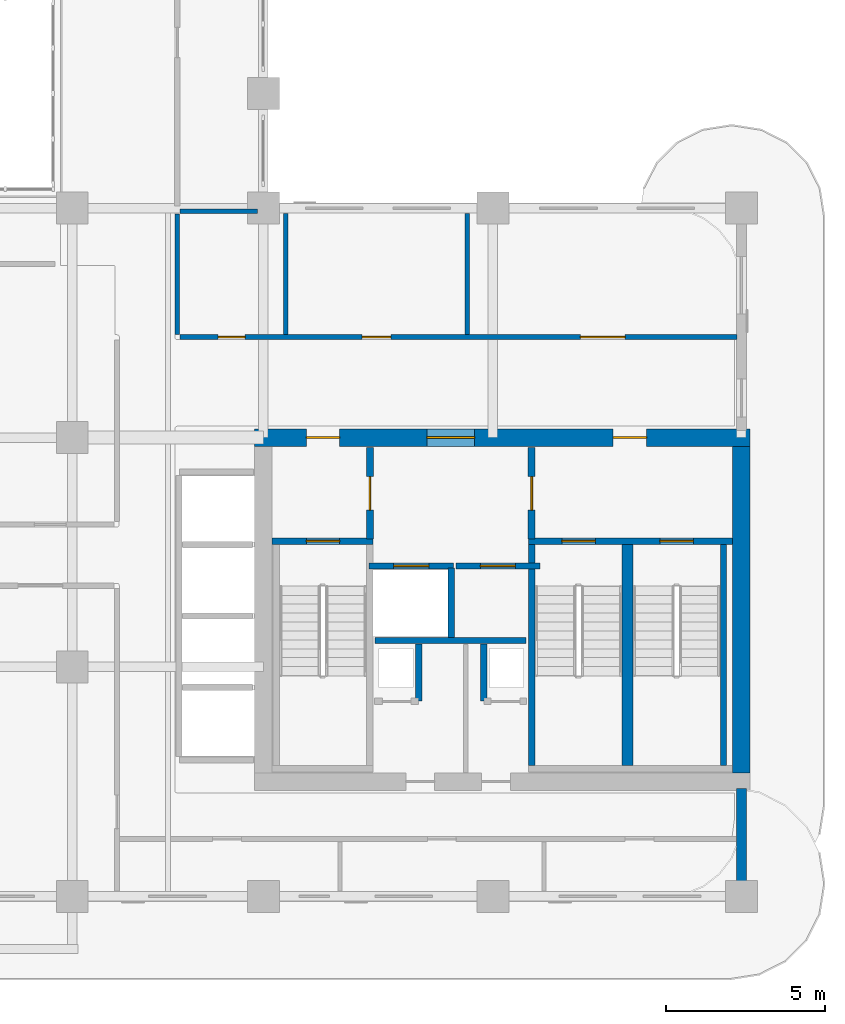
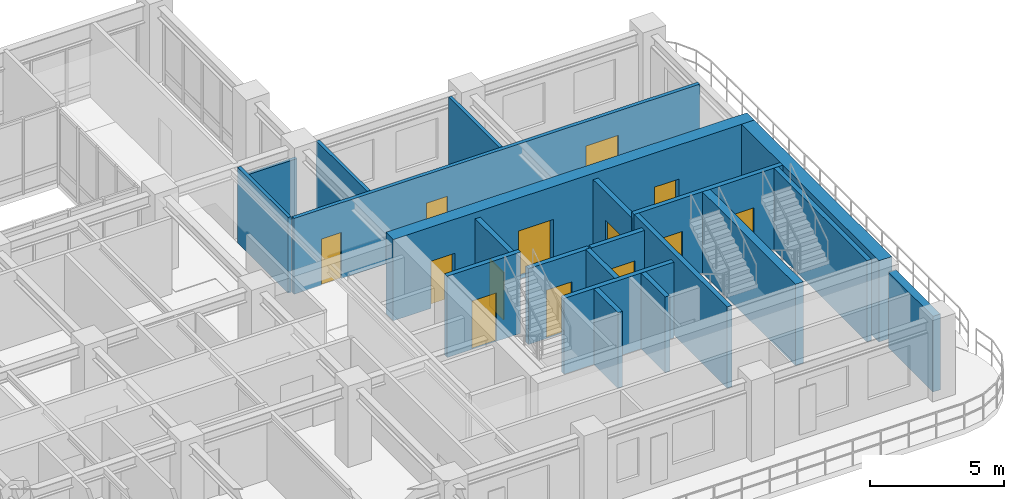
# One storey, part 13 of 20: 21 walls, 13 doors, 13 openings.
"""IFC4 building model written with IfcOpenShell, lengths in metres."""

import ifcopenshell
import ifcopenshell.guid

model = None  # the IFC model being written
_history = None  # IfcOwnerHistory: only IFC2X3 demands one
_inside = {}  # id of a spatial element -> (the spatial element, [elements in it])
_under = {}  # id of a project, library or spatial element -> (it, [spatial elements below it])
_declared = {}  # id of a project -> (the project, [libraries it declares])
_typed = {}  # id of a type object -> (the type object, [elements of that type])
_made_of = {}  # id of a material, layer set ... -> (it, [elements and type objects made of it])


def new_model(schema):
    """Start an empty IFC model of exactly this schema.

    Asked for "IFC4X3", IfcOpenShell would pick the latest addendum, in which some entities
    have other attributes; the version numbers below select the first issue.
    IFC2X3 requires an IfcOwnerHistory on every rooted entity: one is made here for all.
    """
    global model, _history
    if schema == "IFC4X3":
        model = ifcopenshell.file(schema_version=(4, 3, 0, 0))
    else:
        model = ifcopenshell.file(schema=schema)
    _inside.clear()
    _under.clear()
    _declared.clear()
    _typed.clear()
    _made_of.clear()
    _history = None
    if model.schema == "IFC2X3":
        org = make("IfcOrganization", Name="unknown")
        user = make(
            "IfcPersonAndOrganization",
            ThePerson=make("IfcPerson", FamilyName="unknown"),
            TheOrganization=org,
        )
        app = make(
            "IfcApplication",
            ApplicationDeveloper=org,
            Version="unknown",
            ApplicationFullName="unknown",
            ApplicationIdentifier="unknown",
        )
        _history = make(
            "IfcOwnerHistory",
            OwningUser=user,
            OwningApplication=app,
            ChangeAction="ADDED",
            CreationDate=0,
        )
    return model


def make(cls, **values):
    """One entity of the class cls with the attributes given. An attribute that is None is left unset."""
    return model.create_entity(
        cls, **{name: value for name, value in values.items() if value is not None}
    )


def rooted(cls, **values):
    """An entity with a GlobalId (a new one), such as an element, a storey or a relation."""
    return make(cls, GlobalId=ifcopenshell.guid.new(), OwnerHistory=_history, **values)


def si_unit(unit_type, name, prefix=None):
    """IfcSIUnit, for example si_unit("LENGTHUNIT", "METRE", prefix="MILLI")."""
    return make("IfcSIUnit", UnitType=unit_type, Prefix=prefix, Name=name)


def derived_unit(unit_type, elements):
    """IfcDerivedUnit: a product of units, each with its exponent."""
    return make(
        "IfcDerivedUnit",
        Elements=[
            make("IfcDerivedUnitElement", Unit=unit, Exponent=power)
            for unit, power in elements
        ],
        UnitType=unit_type,
    )


def assignment(units):
    """IfcUnitAssignment: the units of a project."""
    return None if units is None else make("IfcUnitAssignment", Units=units)


def point(xyz):
    """IfcCartesianPoint."""
    return None if xyz is None else make("IfcCartesianPoint", Coordinates=xyz)


def direction(xyz):
    """IfcDirection."""
    return None if xyz is None else make("IfcDirection", DirectionRatios=xyz)


def frame(location, z_axis=None, x_axis=None):
    """IfcAxis2Placement3D, a coordinate frame: its origin and axes. An axis left out is left unset."""
    return make(
        "IfcAxis2Placement3D",
        Location=point(location),
        Axis=direction(z_axis),
        RefDirection=direction(x_axis),
    )


def frame_2d(location, x_axis=None):
    """IfcAxis2Placement2D, a coordinate frame in the plane: its origin and x axis."""
    return make(
        "IfcAxis2Placement2D", Location=point(location), RefDirection=direction(x_axis)
    )


def origin():
    """The frame at (0, 0, 0) with its axes left unset."""
    return frame((0.0, 0.0, 0.0))


def place(relative_to, where):
    """IfcLocalPlacement: puts the frame where relative to a parent placement (None: the world)."""
    return make(
        "IfcLocalPlacement", PlacementRelTo=relative_to, RelativePlacement=where
    )


def context(
    kind, dimensions, precision=None, world=None, true_north=None, identifier=None
):
    """IfcGeometricRepresentationContext, for example the 3D "Model" context."""
    return make(
        "IfcGeometricRepresentationContext",
        ContextIdentifier=identifier,
        ContextType=kind,
        CoordinateSpaceDimension=dimensions,
        Precision=precision,
        WorldCoordinateSystem=world,
        TrueNorth=true_north,
    )


def subcontext(parent, identifier, kind, view, scale=None):
    """IfcGeometricRepresentationSubContext, for example "Body" below "Model"."""
    return make(
        "IfcGeometricRepresentationSubContext",
        ContextIdentifier=identifier,
        ContextType=kind,
        ParentContext=parent,
        TargetScale=scale,
        TargetView=view,
    )


def project(units=None, contexts=None):
    """IfcProject with its units and contexts."""
    return rooted(
        "IfcProject",
        Name="project",
        RepresentationContexts=contexts,
        UnitsInContext=assignment(units),
    )


def spatial(cls, under=None, at=None, **own):
    """A site, building, storey or space (cls), placed at a placement, below another one or the project."""
    s = rooted(cls, ObjectPlacement=at, **own)
    if under is not None:
        _under.setdefault(under.id(), (under, []))[1].append(s)
    return s


def profile(cls, at=None, kind="AREA", **sizes):
    """A parametric profile (cls). Its sizes go by their IFC names, for example OverallWidth=200.0."""
    return make(cls, ProfileType=kind, Position=at, **sizes)


def rectangle(**sizes):
    """IfcRectangleProfileDef."""
    return profile("IfcRectangleProfileDef", **sizes)


def extrude(swept, where, along, depth):
    """IfcExtrudedAreaSolid: the profile swept, set in the frame where, extruded along a direction by depth."""
    return make(
        "IfcExtrudedAreaSolid",
        SweptArea=swept,
        Position=where,
        ExtrudedDirection=direction(along),
        Depth=depth,
    )


def shape(context_of_items, identifier, shape_type, items):
    """IfcShapeRepresentation: the items that make up one representation, for example the "Body"."""
    return make(
        "IfcShapeRepresentation",
        ContextOfItems=context_of_items,
        RepresentationIdentifier=identifier,
        RepresentationType=shape_type,
        Items=items,
    )


def source(mapping_origin, context_of_items, identifier, shape_type, items):
    """IfcRepresentationMap: a shape defined once, which mapped items show again and again."""
    return make(
        "IfcRepresentationMap",
        MappingOrigin=mapping_origin,
        MappedRepresentation=shape(context_of_items, identifier, shape_type, items),
    )


def transform(
    local_origin,
    x_axis=None,
    y_axis=None,
    z_axis=None,
    scale=None,
    scale2=None,
    scale3=None,
    uniform=True,
):
    """IfcCartesianTransformationOperator3D, or its non-uniform kind. x_axis, y_axis, z_axis: its Axis1, 2, 3."""
    if uniform:
        return make(
            "IfcCartesianTransformationOperator3D",
            Axis1=direction(x_axis),
            Axis2=direction(y_axis),
            LocalOrigin=point(local_origin),
            Scale=scale,
            Axis3=direction(z_axis),
        )
    return make(
        "IfcCartesianTransformationOperator3DnonUniform",
        Axis1=direction(x_axis),
        Axis2=direction(y_axis),
        LocalOrigin=point(local_origin),
        Scale=scale,
        Axis3=direction(z_axis),
        Scale2=scale2,
        Scale3=scale3,
    )


def mapped(mapping_source, mapping_target):
    """IfcMappedItem: shows the shape of a source again, moved by a transform."""
    return make(
        "IfcMappedItem", MappingSource=mapping_source, MappingTarget=mapping_target
    )


def material(Name=None, Category=None):
    """IfcMaterial."""
    return make("IfcMaterial", Name=Name, Category=Category)


def layer(
    of_material, thickness, ventilated=None, Name=None, Category=None, Priority=None
):
    """IfcMaterialLayer: one layer of a wall or slab, of a material (None: an air gap)."""
    return make(
        "IfcMaterialLayer",
        Material=of_material,
        LayerThickness=thickness,
        IsVentilated=ventilated,
        Name=Name,
        Category=Category,
        Priority=Priority,
    )


def layer_set(layers, Name=None):
    """IfcMaterialLayerSet."""
    return make("IfcMaterialLayerSet", MaterialLayers=layers, LayerSetName=Name)


def made_of(thing, what):
    """Note that an element or type object is made of a material, layer set ...; save() writes the relation."""
    if what is not None:
        _made_of.setdefault(what.id(), (what, []))[1].append(thing)
    return thing


def type_object(cls, material=None, **own):
    """A type object (cls), such as IfcWallType, which elements share."""
    return made_of(rooted(cls, **own), material)


def type_shapes(of_type, sources):
    """Give a type object the sources (RepresentationMaps) that its elements show as mapped items."""
    of_type.RepresentationMaps = sources


def element(
    cls,
    number,
    at=None,
    inside=None,
    cuts=None,
    type_object=None,
    material=None,
    context=None,
    identifier="Body",
    shape_type=None,
    held_by="IfcProductDefinitionShape",
    body=None,
    shapes=None,
    **own,
):
    """One element of the class cls, such as IfcWall. Its Tag is "e" and its number.

    at: its placement. inside: the storey or other place that contains it. cuts: it is an
    opening in that element (IfcRelVoidsElement). A single representation is given by context,
    identifier, shape_type and body (its items); several are given by shapes. held_by: the class
    of the entity that holds the representations. save() writes the other relations.
    """
    e = rooted(cls, Tag="e%d" % number, ObjectPlacement=at, **own)
    if body is not None:
        shapes = [shape(context, identifier, shape_type, body)]
    if shapes is not None:
        e.Representation = make(held_by, Representations=shapes)
    if inside is not None:
        _inside.setdefault(inside.id(), (inside, []))[1].append(e)
    if cuts is not None:
        rooted(
            "IfcRelVoidsElement", RelatingBuildingElement=cuts, RelatedOpeningElement=e
        )
    if type_object is not None:
        _typed.setdefault(type_object.id(), (type_object, []))[1].append(e)
    return made_of(e, material)


def fill(opening, filler):
    """IfcRelFillsElement: the door or window that sits in an opening."""
    return rooted(
        "IfcRelFillsElement",
        RelatingOpeningElement=opening,
        RelatedBuildingElement=filler,
    )


def aggregate(whole, parts):
    """IfcRelAggregates: a whole, such as a stair, and the parts it consists of."""
    return rooted("IfcRelAggregates", RelatingObject=whole, RelatedObjects=parts)


def save(model, path):
    """Write the relations noted so far, then the file.

    IfcRelAggregates (storeys below a building ...), IfcRelContainedInSpatialStructure (elements
    in a storey), IfcRelDefinesByType, IfcRelAssociatesMaterial and IfcRelDeclares: one each for
    every whole, place, type object, material and project.
    """
    for whole, parts in _under.values():
        aggregate(whole, parts)
    for where, things in _inside.values():
        rooted(
            "IfcRelContainedInSpatialStructure",
            RelatedElements=things,
            RelatingStructure=where,
        )
    for kind, things in _typed.values():
        rooted("IfcRelDefinesByType", RelatedObjects=things, RelatingType=kind)
    for what, things in _made_of.values():
        rooted("IfcRelAssociatesMaterial", RelatedObjects=things, RelatingMaterial=what)
    for by, libraries in _declared.values():
        rooted("IfcRelDeclares", RelatingContext=by, RelatedDefinitions=libraries)
    model.write(path)


model = new_model("IFC4")

# Units and contexts
model_context = context("Model", 3, precision=1e-05, world=origin(), true_north=direction((0.0, 1.0)))
body_context = subcontext(model_context, "Body", "Model", "MODEL_VIEW")
ifc_project = project(units=[si_unit("LENGTHUNIT", "METRE"), si_unit("AREAUNIT", "SQUARE_METRE"), si_unit("VOLUMEUNIT", "CUBIC_METRE"), si_unit("PLANEANGLEUNIT", "RADIAN"), si_unit("MASSUNIT", "GRAM", prefix="KILO"), si_unit("THERMODYNAMICTEMPERATUREUNIT", "KELVIN"), si_unit("POWERUNIT", "WATT"), derived_unit("THERMALTRANSMITTANCEUNIT", [(si_unit("POWERUNIT", "WATT"), 1), (si_unit("AREAUNIT", "SQUARE_METRE"), -1), (si_unit("THERMODYNAMICTEMPERATUREUNIT", "KELVIN"), -1)])], contexts=[model_context])

# Site, building, storey
site_placement = place(None, origin())
site = spatial("IfcSite", under=ifc_project, at=site_placement, CompositionType="ELEMENT")
building_placement = place(site_placement, origin())
building = spatial("IfcBuilding", under=site, at=building_placement, Name="Zahravan Archway Hotel and Residences", CompositionType="ELEMENT")
storey_placement = place(building_placement, frame((0.0, 0.0, 115.5)))
storey = spatial("IfcBuildingStorey", under=building, at=storey_placement, Name="L28", CompositionType="ELEMENT", Elevation=115.5)

# Wall, openings, doors
ifc_material_1 = material(Name="Concrete C70/85", Category="concrete")
ifc_layer_1 = layer(ifc_material_1, 0.550048828125, Name="Concrete C70/85", Category="concrete")
ifc_layer_set_1 = layer_set([ifc_layer_1], Name="Concrete C70/85")
wall_type_1 = type_object("IfcWallType", Name="CW-CORE-550", PredefinedType="SHEAR", material=ifc_layer_set_1)
wall_1_placement = place(storey_placement, frame((34.52490234375, 14.39990234375, 0.0), z_axis=(0.0, 0.0, 1.0), x_axis=(1.0, 0.0, 0.0)))
wall_1 = element("IfcWall", 1, at=wall_1_placement, inside=storey, type_object=wall_type_1, Name="L28 Core A Shear N Wall 550 mm", PredefinedType="SHEAR", context=body_context, shape_type="SweptSolid", body=[
    extrude(rectangle(XDim=15.550048828125, YDim=0.550048828125, at=frame_2d((7.77490234375, 0.0))), origin(), (0.0, 0.0, 1.0), 3.699951171875),
])
opening_1_placement = place(wall_1_placement, frame((5.405029296875, 0.0, 0.0)))
opening_1 = element("IfcOpeningElement", 2, at=opening_1_placement, cuts=wall_1, Name="Opening FD-L1", PredefinedType="OPENING", context=body_context, shape_type="SweptSolid", body=[
    extrude(rectangle(XDim=1.5, YDim=2.199951171875, at=frame_2d((0.75, 1.10009765625))), frame((0.0, 0.28515625, 0.0), z_axis=(0.0, -1.0, 0.0), x_axis=(1.0, 0.0, 0.0)), (0.0, 0.0, 1.0), 0.570068359375),
])
opening_2_placement = place(wall_1_placement, frame((1.6201171875, 0.0, 0.0)))
opening_2 = element("IfcOpeningElement", 3, at=opening_2_placement, cuts=wall_1, Name="Opening FD-L2", PredefinedType="OPENING", context=body_context, shape_type="SweptSolid", body=[
    extrude(rectangle(XDim=1.050048828125, YDim=2.14990234375, at=frame_2d((0.52490234375, 1.074951171875))), frame((0.0, 0.28515625, 0.0), z_axis=(0.0, -1.0, 0.0), x_axis=(1.0, 0.0, 0.0)), (0.0, 0.0, 1.0), 0.570068359375),
])
opening_3_placement = place(wall_1_placement, frame((11.25, 0.0, 0.0)))
opening_3 = element("IfcOpeningElement", 4, at=opening_3_placement, cuts=wall_1, Name="Opening FD-L2", PredefinedType="OPENING", context=body_context, shape_type="SweptSolid", body=[
    extrude(rectangle(XDim=1.050048828125, YDim=2.14990234375, at=frame_2d((0.52490234375, 1.074951171875))), frame((0.0, 0.28515625, 0.0), z_axis=(0.0, -1.0, 0.0), x_axis=(1.0, 0.0, 0.0)), (0.0, 0.0, 1.0), 0.570068359375),
])
ifc_material_2 = material(Name="Fire-Rated Painted Steel", Category="steel")
door_type_1 = type_object("IfcDoorType", Name="FD-LOBBY-1100", OperationType="NOTDEFINED", PredefinedType="DOOR", material=ifc_material_2)
shared_shape_1 = source(origin(), body_context, "Body", "SweptSolid", [
    extrude(rectangle(XDim=1.050048828125, YDim=2.14990234375, at=frame_2d((0.52490234375, 1.074951171875))), frame((0.0, 0.02490234375, 0.0), z_axis=(0.0, -1.0, 0.0), x_axis=(1.0, 0.0, 0.0)), (0.0, 0.0, 1.0), 0.050048828125),
])
type_shapes(door_type_1, [shared_shape_1])
door_1_placement = place(opening_2_placement, origin())
door_1 = element("IfcDoor", 5, at=door_1_placement, inside=storey, type_object=door_type_1, Name="L28 Core A West Stair Lobby Door", OperationType="SINGLE_SWING_RIGHT", OverallHeight=2.14990234375, OverallWidth=1.050048828125, PredefinedType="DOOR", context=body_context, shape_type="MappedRepresentation", body=[
    mapped(shared_shape_1, transform((0.0, 0.0, 0.0), scale=1.0)),
])
fill(opening_2, door_1)
door_2_placement = place(opening_3_placement, origin())
door_2 = element("IfcDoor", 6, at=door_2_placement, inside=storey, type_object=door_type_1, Name="L28 Core A East Stair Lobby Door", OperationType="SINGLE_SWING_LEFT", OverallHeight=2.14990234375, OverallWidth=1.050048828125, PredefinedType="DOOR", context=body_context, shape_type="MappedRepresentation", body=[
    mapped(shared_shape_1, transform((0.0, 0.0, 0.0), scale=1.0)),
])
fill(opening_3, door_2)
door_type_2 = type_object("IfcDoorType", Name="FD-LOBBY-1500", OperationType="DOUBLE_DOOR_SINGLE_SWING", PredefinedType="DOOR", material=ifc_material_2)
shared_shape_2 = source(origin(), body_context, "Body", "SweptSolid", [
    extrude(rectangle(XDim=1.5, YDim=2.199951171875, at=frame_2d((0.75, 1.10009765625))), frame((0.0, 0.02490234375, 0.0), z_axis=(0.0, -1.0, 0.0), x_axis=(1.0, 0.0, 0.0)), (0.0, 0.0, 1.0), 0.050048828125),
])
type_shapes(door_type_2, [shared_shape_2])
door_3_placement = place(opening_1_placement, origin())
door_3 = element("IfcDoor", 7, at=door_3_placement, inside=storey, type_object=door_type_2, Name="L28 Core A FSAE Lobby Main Door", OperationType="DOUBLE_DOOR_SINGLE_SWING", OverallHeight=2.199951171875, OverallWidth=1.5, PredefinedType="DOOR", context=body_context, shape_type="MappedRepresentation", body=[
    mapped(shared_shape_2, transform((0.0, 0.0, 0.0), scale=1.0)),
])
fill(opening_1, door_3)

# Walls
wall_2_placement = place(storey_placement, frame((49.800048828125, 3.875, 0.0), z_axis=(0.0, 0.0, 1.0), x_axis=(0.0, 1.0, 0.0)))
element("IfcWall", 8, at=wall_2_placement, inside=storey, type_object=wall_type_1, Name="L28 Core A Shear E Wall 550 mm", PredefinedType="SHEAR", context=body_context, shape_type="SweptSolid", body=[
    extrude(rectangle(XDim=10.25, YDim=0.550048828125, at=frame_2d((5.125, 0.0))), origin(), (0.0, 0.0, 1.0), 3.699951171875),
])
ifc_material_3 = material(Name="Agra Buff Sandstone & Insulated Backup", Category="masonry")
ifc_layer_2 = layer(ifc_material_3, 0.320068359375, Name="Agra Buff Sandstone & Insulated Backup", Category="masonry")
ifc_layer_set_2 = layer_set([ifc_layer_2], Name="Agra Buff Sandstone & Insulated Backup")
wall_type_2 = type_object("IfcWallType", Name="EW-SAND-320", PredefinedType="SOLIDWALL", material=ifc_layer_set_2)
wall_3_placement = place(storey_placement, frame((49.800048828125, 0.050048828125, 0.0), z_axis=(0.0, 0.0, 1.0), x_axis=(0.0, 1.0, 0.0)))
element("IfcWall", 9, at=wall_3_placement, inside=storey, type_object=wall_type_2, Name="L28 Exterior Sandstone Wall WA-ES", PredefinedType="SOLIDWALL", context=body_context, shape_type="SweptSolid", body=[
    extrude(rectangle(XDim=3.329833984375, YDim=0.320068359375, at=frame_2d((1.6650390625, 0.0))), origin(), (0.0, 0.0, 1.0), 3.449951171875),
])

# Wall, opening, door
ifc_material_4 = material(Name="Fire-Rated Gypsum & Concrete Block", Category="concrete")
ifc_layer_3 = layer(ifc_material_4, 0.219970703125, Name="Fire-Rated Gypsum & Concrete Block", Category="concrete")
ifc_layer_set_3 = layer_set([ifc_layer_3], Name="Fire-Rated Gypsum & Concrete Block")
wall_type_3 = type_object("IfcWallType", Name="PW-COMP-220", PredefinedType="PARTITIONING", material=ifc_layer_set_3)
wall_4_placement = place(storey_placement, frame((38.139892578125, 11.219970703125, 0.0), z_axis=(0.0, 0.0, 1.0), x_axis=(0.0, 1.0, 0.0)))
wall_4 = element("IfcWall", 10, at=wall_4_placement, inside=storey, type_object=wall_type_3, Name="L28 Partition CA-LOBW", PredefinedType="PARTITIONING", context=body_context, shape_type="SweptSolid", body=[
    extrude(rectangle(XDim=2.860107421875, YDim=0.219970703125, at=frame_2d((1.43017578125, 0.0))), origin(), (0.0, 0.0, 1.0), 3.449951171875),
])
opening_4_placement = place(wall_4_placement, frame((0.905029296875, 0.0, 0.0)))
opening_4 = element("IfcOpeningElement", 11, at=opening_4_placement, cuts=wall_4, Name="Opening FD-L2", PredefinedType="OPENING", context=body_context, shape_type="SweptSolid", body=[
    extrude(rectangle(XDim=1.050048828125, YDim=2.14990234375, at=frame_2d((0.52490234375, 1.074951171875))), frame((0.0, 0.1201171875, 0.0), z_axis=(0.0, -1.0, 0.0), x_axis=(1.0, 0.0, 0.0)), (0.0, 0.0, 1.0), 0.239990234375),
])
door_4_placement = place(opening_4_placement, origin())
door_4 = element("IfcDoor", 12, at=door_4_placement, inside=storey, type_object=door_type_1, Name="L28 Core A West Stair to FSAE Lobby Door", OperationType="SINGLE_SWING_RIGHT", OverallHeight=2.14990234375, OverallWidth=1.050048828125, PredefinedType="DOOR", context=body_context, shape_type="MappedRepresentation", body=[
    mapped(shared_shape_1, transform((0.0, 0.0, 0.0), scale=1.0)),
])
fill(opening_4, door_4)

wall_5_placement = place(storey_placement, frame((43.219970703125, 11.219970703125, 0.0), z_axis=(0.0, 0.0, 1.0), x_axis=(0.0, 1.0, 0.0)))
wall_5 = element("IfcWall", 13, at=wall_5_placement, inside=storey, type_object=wall_type_3, Name="L28 Partition CA-LOBE", PredefinedType="PARTITIONING", context=body_context, shape_type="SweptSolid", body=[
    extrude(rectangle(XDim=2.860107421875, YDim=0.219970703125, at=frame_2d((1.43017578125, 0.0))), origin(), (0.0, 0.0, 1.0), 3.449951171875),
])
opening_5_placement = place(wall_5_placement, frame((0.905029296875, 0.0, 0.0)))
opening_5 = element("IfcOpeningElement", 14, at=opening_5_placement, cuts=wall_5, Name="Opening FD-L2", PredefinedType="OPENING", context=body_context, shape_type="SweptSolid", body=[
    extrude(rectangle(XDim=1.050048828125, YDim=2.14990234375, at=frame_2d((0.52490234375, 1.074951171875))), frame((0.0, 0.1201171875, 0.0), z_axis=(0.0, -1.0, 0.0), x_axis=(1.0, 0.0, 0.0)), (0.0, 0.0, 1.0), 0.239990234375),
])
door_5_placement = place(opening_5_placement, origin())
door_5 = element("IfcDoor", 15, at=door_5_placement, inside=storey, type_object=door_type_1, Name="L28 Core A East Stair to FSAE Lobby Door", OperationType="SINGLE_SWING_LEFT", OverallHeight=2.14990234375, OverallWidth=1.050048828125, PredefinedType="DOOR", context=body_context, shape_type="MappedRepresentation", body=[
    mapped(shared_shape_1, transform((0.0, 0.0, 0.0), scale=1.0)),
])
fill(opening_5, door_5)

# Wall, openings, doors
ifc_layer_4 = layer(ifc_material_4, 0.159912109375, Name="Fire-Rated Gypsum & Concrete Block", Category="concrete")
ifc_layer_set_4 = layer_set([ifc_layer_4], Name="Fire-Rated Gypsum & Concrete Block")
wall_type_4 = type_object("IfcWallType", Name="PW-CORR-160", PredefinedType="PARTITIONING", material=ifc_layer_set_4)
wall_6_placement = place(storey_placement, frame((32.18994140625, 17.550048828125, 0.0), z_axis=(0.0, 0.0, 1.0), x_axis=(1.0, 0.0, 0.0)))
wall_6 = element("IfcWall", 16, at=wall_6_placement, inside=storey, type_object=wall_type_4, Name="L28 Partition WA-FN", PredefinedType="PARTITIONING", context=body_context, shape_type="SweptSolid", body=[
    extrude(rectangle(XDim=17.469970703125, YDim=0.159912109375, at=frame_2d((8.73486328125, 0.0))), origin(), (0.0, 0.0, 1.0), 3.449951171875),
])
opening_6_placement = place(wall_6_placement, frame((1.18505859375, 0.0, 0.0)))
opening_6 = element("IfcOpeningElement", 17, at=opening_6_placement, cuts=wall_6, Name="Opening D-B1", PredefinedType="OPENING", context=body_context, shape_type="SweptSolid", body=[
    extrude(rectangle(XDim=0.85009765625, YDim=2.10009765625, at=frame_2d((0.425048828125, 1.050048828125))), frame((0.0, 0.08984375, 0.0), z_axis=(0.0, -1.0, 0.0), x_axis=(1.0, 0.0, 0.0)), (0.0, 0.0, 1.0), 0.179931640625),
])
opening_7_placement = place(wall_6_placement, frame((5.7099609375, 0.0, 0.0)))
opening_7 = element("IfcOpeningElement", 18, at=opening_7_placement, cuts=wall_6, Name="Opening D-I2", PredefinedType="OPENING", context=body_context, shape_type="SweptSolid", body=[
    extrude(rectangle(XDim=0.89990234375, YDim=2.14990234375, at=frame_2d((0.449951171875, 1.074951171875))), frame((0.0, 0.08984375, 0.0), z_axis=(0.0, -1.0, 0.0), x_axis=(1.0, 0.0, 0.0)), (0.0, 0.0, 1.0), 0.179931640625),
])
opening_8_placement = place(wall_6_placement, frame((12.56005859375, 0.0, 0.0)))
opening_8 = element("IfcOpeningElement", 19, at=opening_8_placement, cuts=wall_6, Name="Opening D-P1", PredefinedType="OPENING", context=body_context, shape_type="SweptSolid", body=[
    extrude(rectangle(XDim=1.39990234375, YDim=2.35009765625, at=frame_2d((0.699951171875, 1.175048828125))), frame((0.0, 0.08984375, 0.0), z_axis=(0.0, -1.0, 0.0), x_axis=(1.0, 0.0, 0.0)), (0.0, 0.0, 1.0), 0.179931640625),
])
ifc_material_5 = material(Name="Hardwood Veneer Timber", Category="wood")
door_type_3 = type_object("IfcDoorType", Name="ID-BATH-850", OperationType="NOTDEFINED", PredefinedType="DOOR", material=ifc_material_5)
shared_shape_3 = source(origin(), body_context, "Body", "SweptSolid", [
    extrude(rectangle(XDim=0.85009765625, YDim=2.10009765625, at=frame_2d((0.425048828125, 1.050048828125))), frame((0.0, 0.02490234375, 0.0), z_axis=(0.0, -1.0, 0.0), x_axis=(1.0, 0.0, 0.0)), (0.0, 0.0, 1.0), 0.050048828125),
])
type_shapes(door_type_3, [shared_shape_3])
door_6_placement = place(opening_6_placement, origin())
door_6 = element("IfcDoor", 20, at=door_6_placement, inside=storey, type_object=door_type_3, Name="L28 Accessible Floor Restroom Door", OperationType="SINGLE_SWING_LEFT", OverallHeight=2.10009765625, OverallWidth=0.85009765625, PredefinedType="DOOR", context=body_context, shape_type="MappedRepresentation", body=[
    mapped(shared_shape_3, transform((0.0, 0.0, 0.0), scale=1.0)),
])
fill(opening_6, door_6)
ifc_material_6 = material(Name="Bronze-Anodized Glazed Aluminium", Category="aluminium")
door_type_4 = type_object("IfcDoorType", Name="ID-PUBLIC-1400", OperationType="DOUBLE_DOOR_SINGLE_SWING", PredefinedType="DOOR", material=ifc_material_6)
shared_shape_4 = source(origin(), body_context, "Body", "SweptSolid", [
    extrude(rectangle(XDim=1.39990234375, YDim=2.35009765625, at=frame_2d((0.699951171875, 1.175048828125))), frame((0.0, 0.02490234375, 0.0), z_axis=(0.0, -1.0, 0.0), x_axis=(1.0, 0.0, 0.0)), (0.0, 0.0, 1.0), 0.050048828125),
])
type_shapes(door_type_4, [shared_shape_4])
door_7_placement = place(opening_8_placement, origin())
door_7 = element("IfcDoor", 21, at=door_7_placement, inside=storey, type_object=door_type_4, Name="L28 Co-Working Room Door", OperationType="DOUBLE_DOOR_SINGLE_SWING", OverallHeight=2.35009765625, OverallWidth=1.39990234375, PredefinedType="DOOR", context=body_context, shape_type="MappedRepresentation", body=[
    mapped(shared_shape_4, transform((0.0, 0.0, 0.0), scale=1.0)),
])
fill(opening_8, door_7)
door_type_5 = type_object("IfcDoorType", Name="ID-INT-900", OperationType="NOTDEFINED", PredefinedType="DOOR", material=ifc_material_5)
shared_shape_5 = source(origin(), body_context, "Body", "SweptSolid", [
    extrude(rectangle(XDim=0.89990234375, YDim=2.14990234375, at=frame_2d((0.449951171875, 1.074951171875))), frame((0.0, 0.02490234375, 0.0), z_axis=(0.0, -1.0, 0.0), x_axis=(1.0, 0.0, 0.0)), (0.0, 0.0, 1.0), 0.050048828125),
])
type_shapes(door_type_5, [shared_shape_5])
door_8_placement = place(opening_7_placement, origin())
door_8 = element("IfcDoor", 22, at=door_8_placement, inside=storey, type_object=door_type_5, Name="L28 Tea Servery Door", OperationType="SINGLE_SWING_RIGHT", OverallHeight=2.14990234375, OverallWidth=0.89990234375, PredefinedType="DOOR", context=body_context, shape_type="MappedRepresentation", body=[
    mapped(shared_shape_5, transform((0.0, 0.0, 0.0), scale=1.0)),
])
fill(opening_7, door_8)

# Walls
ifc_layer_5 = layer(ifc_material_4, 0.199951171875, Name="Fire-Rated Gypsum & Concrete Block", Category="concrete")
ifc_layer_set_5 = layer_set([ifc_layer_5], Name="Fire-Rated Gypsum & Concrete Block")
wall_type_5 = type_object("IfcWallType", Name="PW-SHAFT-200", PredefinedType="PARTITIONING", material=ifc_layer_set_5)
wall_7_placement = place(storey_placement, frame((38.300048828125, 8.030029296875, 0.0), z_axis=(0.0, 0.0, 1.0), x_axis=(1.0, 0.0, 0.0)))
element("IfcWall", 23, at=wall_7_placement, inside=storey, type_object=wall_type_5, Name="L28 Partition CA-FLS", PredefinedType="PARTITIONING", context=body_context, shape_type="SweptSolid", body=[
    extrude(rectangle(XDim=4.739990234375, YDim=0.199951171875, at=frame_2d((2.3701171875, 0.0))), origin(), (0.0, 0.0, 1.0), 3.449951171875),
])
wall_8_placement = place(storey_placement, frame((40.699951171875, 8.1201171875, 0.0), z_axis=(0.0, 0.0, 1.0), x_axis=(0.0, 1.0, 0.0)))
element("IfcWall", 24, at=wall_8_placement, inside=storey, type_object=wall_type_5, Name="L28 Partition CA-FLM", PredefinedType="PARTITIONING", context=body_context, shape_type="SweptSolid", body=[
    extrude(rectangle(XDim=2.179931640625, YDim=0.199951171875, at=frame_2d((1.08984375, 0.0))), origin(), (0.0, 0.0, 1.0), 3.449951171875),
])
for number, where, z_axis, x_axis, name in (
    (25, (39.679931640625, 6.1298828125, 0.0), (0.0, 0.0, 1.0), (0.0, 1.0, 0.0), "L28 Partition CA-SMKE"),
    (26, (41.719970703125, 6.1298828125, 0.0), (0.0, 0.0, 1.0), (0.0, 1.0, 0.0), "L28 Partition CA-MEPW"),
):
    element("IfcWall", number, at=place(storey_placement, frame(where, z_axis=z_axis, x_axis=x_axis)), inside=storey, type_object=wall_type_5, Name=name, PredefinedType="PARTITIONING", context=body_context, shape_type="SweptSolid", body=[
        extrude(rectangle(XDim=1.7900390625, YDim=0.199951171875, at=frame_2d((0.89501953125, 0.0))), origin(), (0.0, 0.0, 1.0), 3.449951171875),
    ])

# Wall, opening, door
wall_9_placement = place(storey_placement, frame((38.1201171875, 10.3701171875, 0.0), z_axis=(0.0, 0.0, 1.0), x_axis=(1.0, 0.0, 0.0)))
wall_9 = element("IfcWall", 27, at=wall_9_placement, inside=storey, type_object=wall_type_5, Name="L28 Lift FL-1 Front Wall", PredefinedType="PARTITIONING", context=body_context, shape_type="SweptSolid", body=[
    extrude(rectangle(XDim=2.639892578125, YDim=0.199951171875, at=frame_2d((1.31982421875, 0.0))), origin(), (0.0, 0.0, 1.0), 3.449951171875),
])
opening_9_placement = place(wall_9_placement, frame((0.77001953125, 0.0, 0.0)))
opening_9 = element("IfcOpeningElement", 28, at=opening_9_placement, cuts=wall_9, Name="Opening LD", PredefinedType="OPENING", context=body_context, shape_type="SweptSolid", body=[
    extrude(rectangle(XDim=1.10009765625, YDim=2.199951171875, at=frame_2d((0.550048828125, 1.10009765625))), frame((0.0, 0.10986328125, 0.0), z_axis=(0.0, -1.0, 0.0), x_axis=(1.0, 0.0, 0.0)), (0.0, 0.0, 1.0), 0.219970703125),
])
ifc_material_7 = material(Name="Brushed Stainless Steel", Category="steel")
door_type_6 = type_object("IfcDoorType", Name="DR-LIFT-LD", OperationType="SLIDING_TO_LEFT", PredefinedType="DOOR", material=ifc_material_7)
shared_shape_6 = source(origin(), body_context, "Body", "SweptSolid", [
    extrude(rectangle(XDim=1.10009765625, YDim=2.199951171875, at=frame_2d((0.550048828125, 1.10009765625))), frame((0.0, 0.02490234375, 0.0), z_axis=(0.0, -1.0, 0.0), x_axis=(1.0, 0.0, 0.0)), (0.0, 0.0, 1.0), 0.050048828125),
])
type_shapes(door_type_6, [shared_shape_6])
door_9_placement = place(opening_9_placement, origin())
door_9 = element("IfcDoor", 29, at=door_9_placement, inside=storey, type_object=door_type_6, Name="L28 Lift FL-1 Sliding Landing Door", OperationType="SLIDING_TO_LEFT", OverallHeight=2.199951171875, OverallWidth=1.10009765625, PredefinedType="DOOR", context=body_context, shape_type="MappedRepresentation", body=[
    mapped(shared_shape_6, transform((0.0, 0.0, 0.0), scale=1.0)),
])
fill(opening_9, door_9)

wall_10_placement = place(storey_placement, frame((40.840087890625, 10.3701171875, 0.0), z_axis=(0.0, 0.0, 1.0), x_axis=(1.0, 0.0, 0.0)))
wall_10 = element("IfcWall", 30, at=wall_10_placement, inside=storey, type_object=wall_type_5, Name="L28 Lift FL-2 Front Wall", PredefinedType="PARTITIONING", context=body_context, shape_type="SweptSolid", body=[
    extrude(rectangle(XDim=2.639892578125, YDim=0.199951171875, at=frame_2d((1.31982421875, 0.0))), origin(), (0.0, 0.0, 1.0), 3.449951171875),
])
opening_10_placement = place(wall_10_placement, frame((0.77001953125, 0.0, 0.0)))
opening_10 = element("IfcOpeningElement", 31, at=opening_10_placement, cuts=wall_10, Name="Opening LD", PredefinedType="OPENING", context=body_context, shape_type="SweptSolid", body=[
    extrude(rectangle(XDim=1.10009765625, YDim=2.199951171875, at=frame_2d((0.550048828125, 1.10009765625))), frame((0.0, 0.10986328125, 0.0), z_axis=(0.0, -1.0, 0.0), x_axis=(1.0, 0.0, 0.0)), (0.0, 0.0, 1.0), 0.219970703125),
])
door_10_placement = place(opening_10_placement, origin())
door_10 = element("IfcDoor", 32, at=door_10_placement, inside=storey, type_object=door_type_6, Name="L28 Lift FL-2 Sliding Landing Door", OperationType="SLIDING_TO_LEFT", OverallHeight=2.199951171875, OverallWidth=1.10009765625, PredefinedType="DOOR", context=body_context, shape_type="MappedRepresentation", body=[
    mapped(shared_shape_6, transform((0.0, 0.0, 0.0), scale=1.0)),
])
fill(opening_10, door_10)

# Walls
ifc_material_8 = material(Name="Moisture-Resistant Blockwork", Category="masonry")
ifc_layer_6 = layer(ifc_material_8, 0.139892578125, Name="Moisture-Resistant Blockwork", Category="masonry")
ifc_layer_set_6 = layer_set([ifc_layer_6], Name="Moisture-Resistant Blockwork")
wall_type_6 = type_object("IfcWallType", Name="PW-WET-140", PredefinedType="PARTITIONING", material=ifc_layer_set_6)
wall_11_placement = place(storey_placement, frame((32.10009765625, 17.639892578125, 0.0), z_axis=(0.0, 0.0, 1.0), x_axis=(0.0, 1.0, 0.0)))
element("IfcWall", 33, at=wall_11_placement, inside=storey, type_object=wall_type_6, Name="L28 Partition NE-W0", PredefinedType="PARTITIONING", context=body_context, shape_type="SweptSolid", body=[
    extrude(rectangle(XDim=3.77001953125, YDim=0.139892578125, at=frame_2d((1.885009765625, 0.0))), origin(), (0.0, 0.0, 1.0), 3.449951171875),
])
for number, where, z_axis, x_axis, name in (
    (34, (35.5, 17.639892578125, 0.0), (0.0, 0.0, 1.0), (0.0, 1.0, 0.0), "L28 Partition NE0-1"),
    (35, (41.199951171875, 17.639892578125, 0.0), (0.0, 0.0, 1.0), (0.0, 1.0, 0.0), "L28 Partition NE0-2"),
):
    element("IfcWall", number, at=place(storey_placement, frame(where, z_axis=z_axis, x_axis=x_axis)), inside=storey, type_object=wall_type_6, Name=name, PredefinedType="PARTITIONING", context=body_context, shape_type="SweptSolid", body=[
        extrude(rectangle(XDim=3.7919921875, YDim=0.139892578125, at=frame_2d((1.89599609375, 0.0))), origin(), (0.0, 0.0, 1.0), 3.449951171875),
    ])
wall_12_placement = place(storey_placement, frame((32.18994140625, 21.5, 0.0), z_axis=(0.0, 0.0, 1.0), x_axis=(1.0, 0.0, 0.0)))
element("IfcWall", 36, at=wall_12_placement, inside=storey, type_object=wall_type_6, Name="L28 Partition ATR-ES", PredefinedType="PARTITIONING", context=body_context, shape_type="SweptSolid", body=[
    extrude(rectangle(XDim=2.420166015625, YDim=0.139892578125, at=frame_2d((1.2099609375, 0.0))), origin(), (0.0, 0.0, 1.0), 2.93505859375),
])

# Wall, opening, door
ifc_material_9 = material(Name="Concrete C50/60", Category="concrete")
ifc_layer_7 = layer(ifc_material_9, 0.199951171875, Name="Concrete C50/60", Category="concrete")
ifc_layer_set_7 = layer_set([ifc_layer_7], Name="Concrete C50/60")
wall_type_7 = type_object("IfcWallType", Name="SW-STAIR-200", PredefinedType="SHEAR", material=ifc_layer_set_7)
wall_13_placement = place(storey_placement, frame((35.074951171875, 11.14990234375, 0.0), z_axis=(0.0, 0.0, 1.0), x_axis=(1.0, 0.0, 0.0)))
wall_13 = element("IfcWall", 37, at=wall_13_placement, inside=storey, type_object=wall_type_7, Name="L28 Stairwell RC Wall CA-SA1N", PredefinedType="SHEAR", context=body_context, shape_type="SweptSolid", body=[
    extrude(rectangle(XDim=3.1650390625, YDim=0.199951171875, at=frame_2d((1.58251953125, 0.0))), origin(), (0.0, 0.0, 1.0), 3.699951171875),
])
opening_11_placement = place(wall_13_placement, frame((1.070068359375, 0.0, 0.0)))
opening_11 = element("IfcOpeningElement", 38, at=opening_11_placement, cuts=wall_13, Name="Opening FD-S1", PredefinedType="OPENING", context=body_context, shape_type="SweptSolid", body=[
    extrude(rectangle(XDim=1.050048828125, YDim=2.199951171875, at=frame_2d((0.52490234375, 1.10009765625))), frame((0.0, 0.10986328125, 0.0), z_axis=(0.0, -1.0, 0.0), x_axis=(1.0, 0.0, 0.0)), (0.0, 0.0, 1.0), 0.219970703125),
])
door_type_7 = type_object("IfcDoorType", Name="FD-STAIR-1100", OperationType="NOTDEFINED", PredefinedType="DOOR", material=ifc_material_2)
shared_shape_7 = source(origin(), body_context, "Body", "SweptSolid", [
    extrude(rectangle(XDim=1.050048828125, YDim=2.199951171875, at=frame_2d((0.52490234375, 1.10009765625))), frame((0.0, 0.02490234375, 0.0), z_axis=(0.0, -1.0, 0.0), x_axis=(1.0, 0.0, 0.0)), (0.0, 0.0, 1.0), 0.050048828125),
])
type_shapes(door_type_7, [shared_shape_7])
door_11_placement = place(opening_11_placement, origin())
door_11 = element("IfcDoor", 39, at=door_11_placement, inside=storey, type_object=door_type_7, Name="L28 Stair ST-A1 Door", OperationType="SINGLE_SWING_LEFT", OverallHeight=2.199951171875, OverallWidth=1.050048828125, PredefinedType="DOOR", context=body_context, shape_type="MappedRepresentation", body=[
    mapped(shared_shape_7, transform((0.0, 0.0, 0.0), scale=1.0)),
])
fill(opening_11, door_11)

# Walls
for number, where, z_axis, x_axis, name in (
    (40, (43.219970703125, 4.10009765625, 0.0), (0.0, 0.0, 1.0), (0.0, 1.0, 0.0), "L28 Stairwell RC Wall CA-SA2W"),
    (41, (49.239990234375, 4.10009765625, 0.0), (0.0, 0.0, 1.0), (0.0, 1.0, 0.0), "L28 Stairwell RC Wall CA-SA3E"),
):
    element("IfcWall", number, at=place(storey_placement, frame(where, z_axis=z_axis, x_axis=x_axis)), inside=storey, type_object=wall_type_7, Name=name, PredefinedType="SHEAR", context=body_context, shape_type="SweptSolid", body=[
        extrude(rectangle(XDim=6.949951171875, YDim=0.199951171875, at=frame_2d((3.47509765625, 0.0))), origin(), (0.0, 0.0, 1.0), 3.699951171875),
    ])

# Wall, openings, doors
wall_14_placement = place(storey_placement, frame((43.1201171875, 11.14990234375, 0.0), z_axis=(0.0, 0.0, 1.0), x_axis=(1.0, 0.0, 0.0)))
wall_14 = element("IfcWall", 42, at=wall_14_placement, inside=storey, type_object=wall_type_7, Name="L28 Stairwell RC Wall CA-SA23N", PredefinedType="SHEAR", context=body_context, shape_type="SweptSolid", body=[
    extrude(rectangle(XDim=6.40478515625, YDim=0.199951171875, at=frame_2d((3.202392578125, 0.0))), origin(), (0.0, 0.0, 1.0), 3.699951171875),
])
opening_12_placement = place(wall_14_placement, frame((1.044921875, 0.0, 0.0)))
opening_12 = element("IfcOpeningElement", 43, at=opening_12_placement, cuts=wall_14, Name="Opening FD-S1", PredefinedType="OPENING", context=body_context, shape_type="SweptSolid", body=[
    extrude(rectangle(XDim=1.050048828125, YDim=2.199951171875, at=frame_2d((0.52490234375, 1.10009765625))), frame((0.0, 0.10986328125, 0.0), z_axis=(0.0, -1.0, 0.0), x_axis=(1.0, 0.0, 0.0)), (0.0, 0.0, 1.0), 0.219970703125),
])
opening_13_placement = place(wall_14_placement, frame((4.125, 0.0, 0.0)))
opening_13 = element("IfcOpeningElement", 44, at=opening_13_placement, cuts=wall_14, Name="Opening FD-S1", PredefinedType="OPENING", context=body_context, shape_type="SweptSolid", body=[
    extrude(rectangle(XDim=1.050048828125, YDim=2.199951171875, at=frame_2d((0.52490234375, 1.10009765625))), frame((0.0, 0.10986328125, 0.0), z_axis=(0.0, -1.0, 0.0), x_axis=(1.0, 0.0, 0.0)), (0.0, 0.0, 1.0), 0.219970703125),
])
door_12_placement = place(opening_12_placement, origin())
door_12 = element("IfcDoor", 45, at=door_12_placement, inside=storey, type_object=door_type_7, Name="L28 Stair ST-A2 Door", OperationType="SINGLE_SWING_RIGHT", OverallHeight=2.199951171875, OverallWidth=1.050048828125, PredefinedType="DOOR", context=body_context, shape_type="MappedRepresentation", body=[
    mapped(shared_shape_7, transform((0.0, 0.0, 0.0), scale=1.0)),
])
fill(opening_12, door_12)
door_13_placement = place(opening_13_placement, origin())
door_13 = element("IfcDoor", 46, at=door_13_placement, inside=storey, type_object=door_type_7, Name="L28 Stair ST-A3 Door", OperationType="SINGLE_SWING_LEFT", OverallHeight=2.199951171875, OverallWidth=1.050048828125, PredefinedType="DOOR", context=body_context, shape_type="MappedRepresentation", body=[
    mapped(shared_shape_7, transform((0.0, 0.0, 0.0), scale=1.0)),
])
fill(opening_13, door_13)

# Wall
ifc_layer_8 = layer(ifc_material_9, 0.340087890625, Name="Concrete C50/60", Category="concrete")
ifc_layer_set_8 = layer_set([ifc_layer_8], Name="Concrete C50/60")
wall_type_8 = type_object("IfcWallType", Name="SW-STAIR-340", PredefinedType="SHEAR", material=ifc_layer_set_8)
wall_15_placement = place(storey_placement, frame((46.22998046875, 4.10009765625, 0.0), z_axis=(0.0, 0.0, 1.0), x_axis=(0.0, 1.0, 0.0)))
element("IfcWall", 47, at=wall_15_placement, inside=storey, type_object=wall_type_8, Name="L28 Stairwell RC Wall CA-SA23M", PredefinedType="SHEAR", context=body_context, shape_type="SweptSolid", body=[
    extrude(rectangle(XDim=6.949951171875, YDim=0.340087890625, at=frame_2d((3.47509765625, 0.0))), origin(), (0.0, 0.0, 1.0), 3.699951171875),
])

save(model, "model.ifc")
